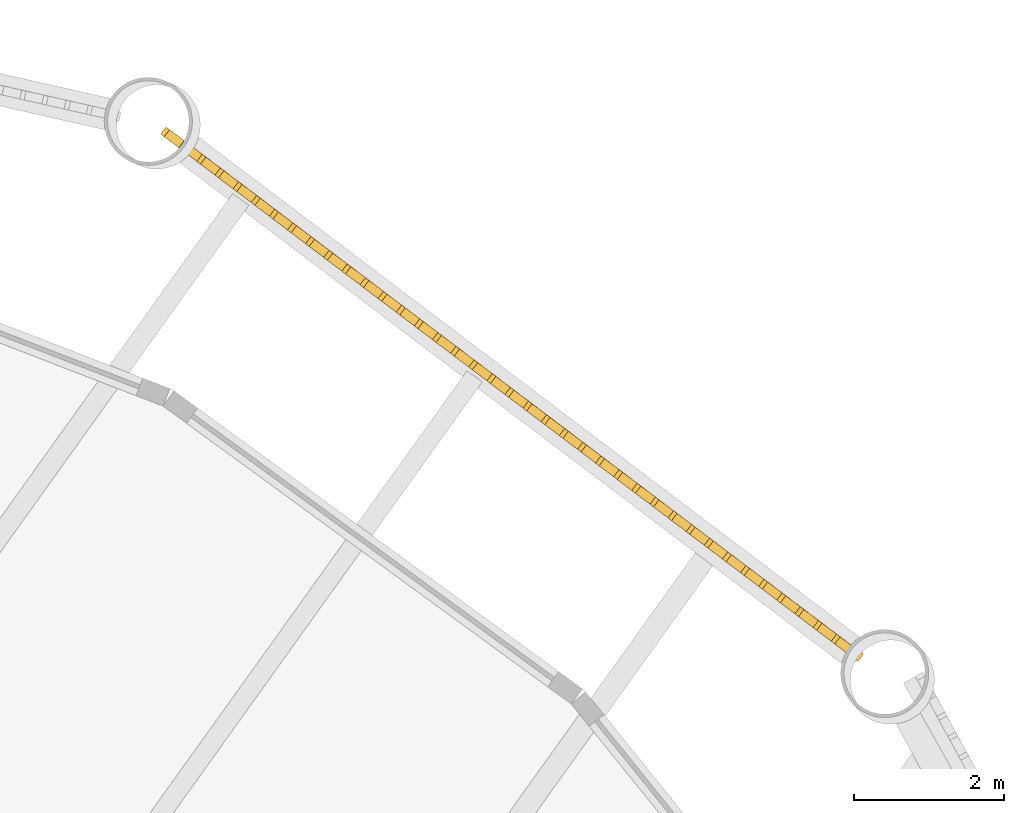
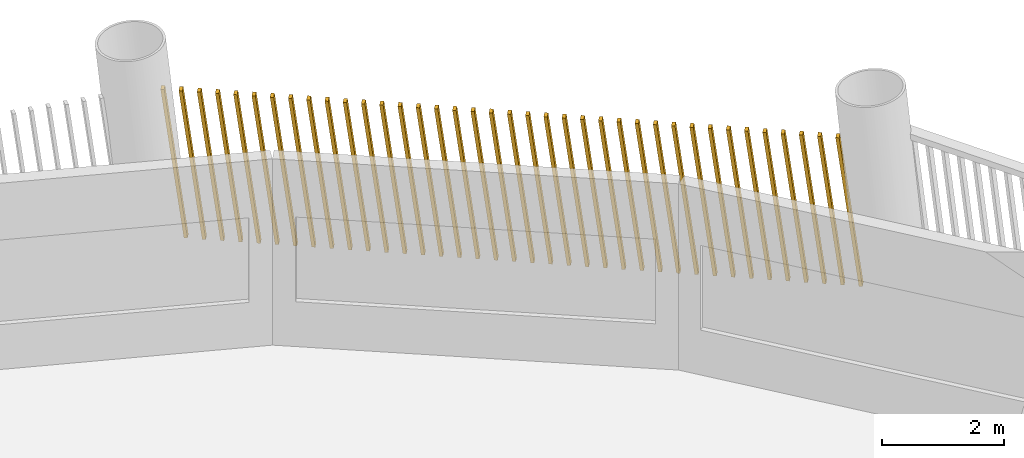
# One storey, part 16 of 17: 1 shading device.
"""IFC4 building model written with IfcOpenShell, lengths in metres."""

from ifc_helpers import new_model, si_unit, direction, frame, frame_2d, origin, place, context, subcontext, project, spatial, rectangle, composite_profile, extrude, material, type_object, element, save


model = new_model("IFC4")

# Units and contexts
model_context = context("Model", 3, precision=1e-05, world=origin(), true_north=direction((0.0, 1.0)))
body_context = subcontext(model_context, "Body", "Model", "MODEL_VIEW")
ifc_project = project(units=[si_unit("LENGTHUNIT", "METRE"), si_unit("AREAUNIT", "SQUARE_METRE"), si_unit("VOLUMEUNIT", "CUBIC_METRE"), si_unit("PLANEANGLEUNIT", "RADIAN"), si_unit("MASSUNIT", "GRAM", prefix="KILO")], contexts=[model_context])

# Site, building, storey
site_placement = place(None, origin())
site = spatial("IfcSite", under=ifc_project, at=site_placement, CompositionType="ELEMENT")
building_placement = place(site_placement, origin())
building = spatial("IfcBuilding", under=site, at=building_placement, Name="Tarsis Ring Headquarters", CompositionType="ELEMENT")
storey_placement = place(building_placement, frame((0.0, 0.0, 127.89990234375)))
storey = spatial("IfcBuildingStorey", under=building, at=storey_placement, Name="L29", CompositionType="ELEMENT", Elevation=127.89990234375)

# Shading device
ifc_material = material(Name="Terracotta baguette", Category="masonry")
shading_device_type = type_object("IfcShadingDeviceType", Name="Terracotta baguette screen", PredefinedType="USERDEFINED", material=ifc_material)
shading_device_placement = place(storey_placement, frame((21.616455078125, 19.252685546875, 0.0), z_axis=(0.0, 0.0, 1.0), x_axis=(-0.797525773196, 0.603298969072, 0.0)))
element("IfcShadingDevice", 1, at=shading_device_placement, inside=storey, type_object=shading_device_type, Name="Baguette screen L29-12", ObjectType="Terracotta baguette screen", PredefinedType="USERDEFINED", context=body_context, shape_type="SweptSolid", body=[
    extrude(composite_profile([rectangle(XDim=0.06005859375, YDim=0.1201171875, at=frame_2d((0.030029296875, 0.0))), rectangle(XDim=0.06005859375, YDim=0.1201171875, at=frame_2d((0.33251953125, 0.0))), rectangle(XDim=0.06005859375, YDim=0.1201171875, at=frame_2d((0.634765625, 0.0))), rectangle(XDim=0.06005859375, YDim=0.1201171875, at=frame_2d((0.937255859375, 0.0))), rectangle(XDim=0.06005859375, YDim=0.1201171875, at=frame_2d((1.239501953125, 0.0))), rectangle(XDim=0.06005859375, YDim=0.1201171875, at=frame_2d((1.5419921875, 0.0))), rectangle(XDim=0.06005859375, YDim=0.1201171875, at=frame_2d((1.844482421875, 0.0))), rectangle(XDim=0.06005859375, YDim=0.1201171875, at=frame_2d((2.146728515625, 0.0))), rectangle(XDim=0.06005859375, YDim=0.1201171875, at=frame_2d((2.44921875, 0.0))), rectangle(XDim=0.06005859375, YDim=0.1201171875, at=frame_2d((2.751708984375, 0.0))), rectangle(XDim=0.06005859375, YDim=0.1201171875, at=frame_2d((3.053955078125, 0.0))), rectangle(XDim=0.06005859375, YDim=0.1201171875, at=frame_2d((3.3564453125, 0.0))), rectangle(XDim=0.06005859375, YDim=0.1201171875, at=frame_2d((3.65869140625, 0.0))), rectangle(XDim=0.06005859375, YDim=0.1201171875, at=frame_2d((3.961181640625, 0.0))), rectangle(XDim=0.06005859375, YDim=0.1201171875, at=frame_2d((4.263671875, 0.0))), rectangle(XDim=0.06005859375, YDim=0.1201171875, at=frame_2d((4.56591796875, 0.0))), rectangle(XDim=0.06005859375, YDim=0.1201171875, at=frame_2d((4.868408203125, 0.0))), rectangle(XDim=0.06005859375, YDim=0.1201171875, at=frame_2d((5.1708984375, 0.0))), rectangle(XDim=0.06005859375, YDim=0.1201171875, at=frame_2d((5.47314453125, 0.0))), rectangle(XDim=0.06005859375, YDim=0.1201171875, at=frame_2d((5.775634765625, 0.0))), rectangle(XDim=0.06005859375, YDim=0.1201171875, at=frame_2d((6.077880859375, 0.0))), rectangle(XDim=0.06005859375, YDim=0.1201171875, at=frame_2d((6.38037109375, 0.0))), rectangle(XDim=0.06005859375, YDim=0.1201171875, at=frame_2d((6.682861328125, 0.0))), rectangle(XDim=0.06005859375, YDim=0.1201171875, at=frame_2d((6.985107421875, 0.0))), rectangle(XDim=0.06005859375, YDim=0.1201171875, at=frame_2d((7.28759765625, 0.0))), rectangle(XDim=0.06005859375, YDim=0.1201171875, at=frame_2d((7.590087890625, 0.0))), rectangle(XDim=0.06005859375, YDim=0.1201171875, at=frame_2d((7.892333984375, 0.0))), rectangle(XDim=0.06005859375, YDim=0.1201171875, at=frame_2d((8.19482421875, 0.0))), rectangle(XDim=0.06005859375, YDim=0.1201171875, at=frame_2d((8.4970703125, 0.0))), rectangle(XDim=0.06005859375, YDim=0.1201171875, at=frame_2d((8.799560546875, 0.0))), rectangle(XDim=0.06005859375, YDim=0.1201171875, at=frame_2d((9.10205078125, 0.0))), rectangle(XDim=0.06005859375, YDim=0.1201171875, at=frame_2d((9.404296875, 0.0))), rectangle(XDim=0.06005859375, YDim=0.1201171875, at=frame_2d((9.706787109375, 0.0))), rectangle(XDim=0.06005859375, YDim=0.1201171875, at=frame_2d((10.00927734375, 0.0))), rectangle(XDim=0.06005859375, YDim=0.1201171875, at=frame_2d((10.3115234375, 0.0))), rectangle(XDim=0.06005859375, YDim=0.1201171875, at=frame_2d((10.614013671875, 0.0))), rectangle(XDim=0.06005859375, YDim=0.1201171875, at=frame_2d((10.916259765625, 0.0))), rectangle(XDim=0.06005859375, YDim=0.1201171875, at=frame_2d((11.21875, 0.0)))]), origin(), (0.129811364809, 0.000883550187, 0.991538314391), 2.977783203125),
])

save(model, "model.ifc")
